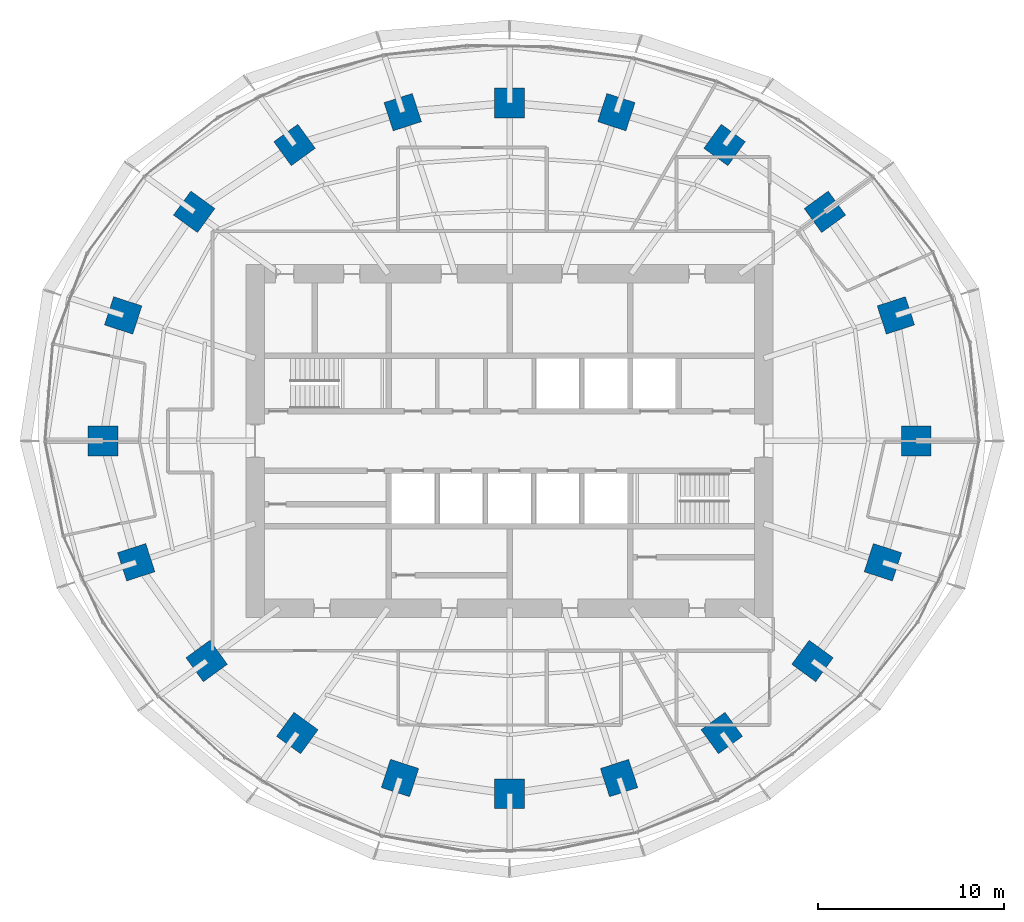
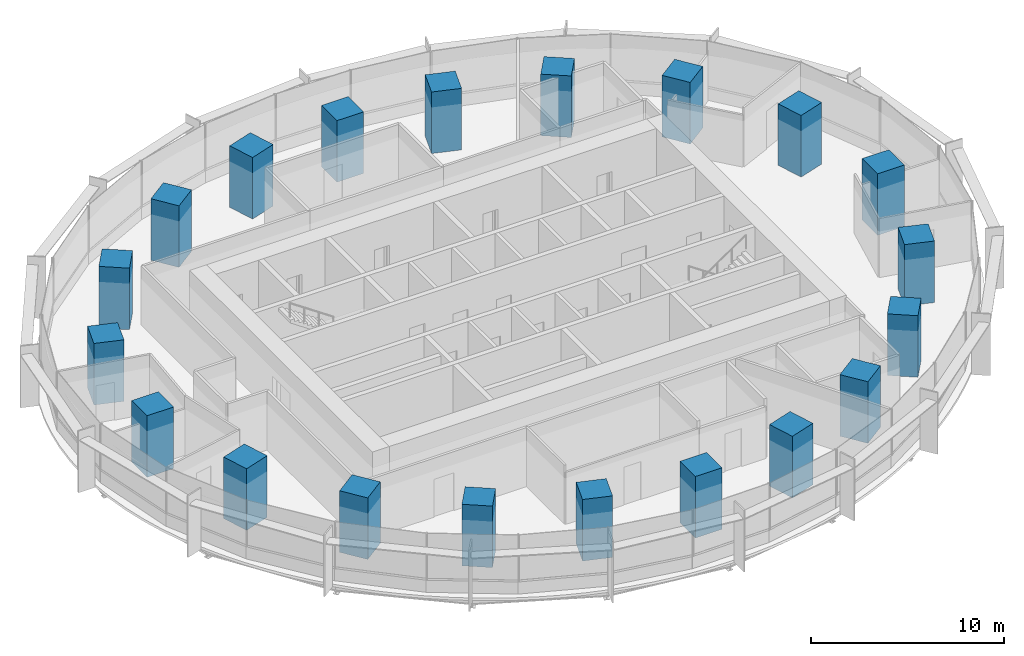
# One storey, part 1 of 14: 20 columns.
"""IFC4 building model written with IfcOpenShell, lengths in metres."""

import ifcopenshell
import ifcopenshell.guid

model = None  # the IFC model being written
_history = None  # IfcOwnerHistory: only IFC2X3 demands one
_inside = {}  # id of a spatial element -> (the spatial element, [elements in it])
_under = {}  # id of a project, library or spatial element -> (it, [spatial elements below it])
_declared = {}  # id of a project -> (the project, [libraries it declares])
_typed = {}  # id of a type object -> (the type object, [elements of that type])
_made_of = {}  # id of a material, layer set ... -> (it, [elements and type objects made of it])


def new_model(schema):
    """Start an empty IFC model of exactly this schema.

    Asked for "IFC4X3", IfcOpenShell would pick the latest addendum, in which some entities
    have other attributes; the version numbers below select the first issue.
    IFC2X3 requires an IfcOwnerHistory on every rooted entity: one is made here for all.
    """
    global model, _history
    if schema == "IFC4X3":
        model = ifcopenshell.file(schema_version=(4, 3, 0, 0))
    else:
        model = ifcopenshell.file(schema=schema)
    _inside.clear()
    _under.clear()
    _declared.clear()
    _typed.clear()
    _made_of.clear()
    _history = None
    if model.schema == "IFC2X3":
        org = make("IfcOrganization", Name="unknown")
        user = make(
            "IfcPersonAndOrganization",
            ThePerson=make("IfcPerson", FamilyName="unknown"),
            TheOrganization=org,
        )
        app = make(
            "IfcApplication",
            ApplicationDeveloper=org,
            Version="unknown",
            ApplicationFullName="unknown",
            ApplicationIdentifier="unknown",
        )
        _history = make(
            "IfcOwnerHistory",
            OwningUser=user,
            OwningApplication=app,
            ChangeAction="ADDED",
            CreationDate=0,
        )
    return model


def make(cls, **values):
    """One entity of the class cls with the attributes given. An attribute that is None is left unset."""
    return model.create_entity(
        cls, **{name: value for name, value in values.items() if value is not None}
    )


def rooted(cls, **values):
    """An entity with a GlobalId (a new one), such as an element, a storey or a relation."""
    return make(cls, GlobalId=ifcopenshell.guid.new(), OwnerHistory=_history, **values)


def si_unit(unit_type, name, prefix=None):
    """IfcSIUnit, for example si_unit("LENGTHUNIT", "METRE", prefix="MILLI")."""
    return make("IfcSIUnit", UnitType=unit_type, Prefix=prefix, Name=name)


def assignment(units):
    """IfcUnitAssignment: the units of a project."""
    return None if units is None else make("IfcUnitAssignment", Units=units)


def point(xyz):
    """IfcCartesianPoint."""
    return None if xyz is None else make("IfcCartesianPoint", Coordinates=xyz)


def direction(xyz):
    """IfcDirection."""
    return None if xyz is None else make("IfcDirection", DirectionRatios=xyz)


def frame(location, z_axis=None, x_axis=None):
    """IfcAxis2Placement3D, a coordinate frame: its origin and axes. An axis left out is left unset."""
    return make(
        "IfcAxis2Placement3D",
        Location=point(location),
        Axis=direction(z_axis),
        RefDirection=direction(x_axis),
    )


def frame_2d(location, x_axis=None):
    """IfcAxis2Placement2D, a coordinate frame in the plane: its origin and x axis."""
    return make(
        "IfcAxis2Placement2D", Location=point(location), RefDirection=direction(x_axis)
    )


def origin():
    """The frame at (0, 0, 0) with its axes left unset."""
    return frame((0.0, 0.0, 0.0))


def origin_2d():
    """The frame at (0, 0) in the plane with its x axis left unset."""
    return frame_2d((0.0, 0.0))


def place(relative_to, where):
    """IfcLocalPlacement: puts the frame where relative to a parent placement (None: the world)."""
    return make(
        "IfcLocalPlacement", PlacementRelTo=relative_to, RelativePlacement=where
    )


def context(
    kind, dimensions, precision=None, world=None, true_north=None, identifier=None
):
    """IfcGeometricRepresentationContext, for example the 3D "Model" context."""
    return make(
        "IfcGeometricRepresentationContext",
        ContextIdentifier=identifier,
        ContextType=kind,
        CoordinateSpaceDimension=dimensions,
        Precision=precision,
        WorldCoordinateSystem=world,
        TrueNorth=true_north,
    )


def subcontext(parent, identifier, kind, view, scale=None):
    """IfcGeometricRepresentationSubContext, for example "Body" below "Model"."""
    return make(
        "IfcGeometricRepresentationSubContext",
        ContextIdentifier=identifier,
        ContextType=kind,
        ParentContext=parent,
        TargetScale=scale,
        TargetView=view,
    )


def project(units=None, contexts=None):
    """IfcProject with its units and contexts."""
    return rooted(
        "IfcProject",
        Name="project",
        RepresentationContexts=contexts,
        UnitsInContext=assignment(units),
    )


def spatial(cls, under=None, at=None, **own):
    """A site, building, storey or space (cls), placed at a placement, below another one or the project."""
    s = rooted(cls, ObjectPlacement=at, **own)
    if under is not None:
        _under.setdefault(under.id(), (under, []))[1].append(s)
    return s


def profile(cls, at=None, kind="AREA", **sizes):
    """A parametric profile (cls). Its sizes go by their IFC names, for example OverallWidth=200.0."""
    return make(cls, ProfileType=kind, Position=at, **sizes)


def rectangle(**sizes):
    """IfcRectangleProfileDef."""
    return profile("IfcRectangleProfileDef", **sizes)


def extrude(swept, where, along, depth):
    """IfcExtrudedAreaSolid: the profile swept, set in the frame where, extruded along a direction by depth."""
    return make(
        "IfcExtrudedAreaSolid",
        SweptArea=swept,
        Position=where,
        ExtrudedDirection=direction(along),
        Depth=depth,
    )


def shape(context_of_items, identifier, shape_type, items):
    """IfcShapeRepresentation: the items that make up one representation, for example the "Body"."""
    return make(
        "IfcShapeRepresentation",
        ContextOfItems=context_of_items,
        RepresentationIdentifier=identifier,
        RepresentationType=shape_type,
        Items=items,
    )


def material(Name=None, Category=None):
    """IfcMaterial."""
    return make("IfcMaterial", Name=Name, Category=Category)


def material_profile(
    of_material, cross_section, Name=None, Category=None, Priority=None
):
    """IfcMaterialProfile: a cross section and its material."""
    return make(
        "IfcMaterialProfile",
        Name=Name,
        Material=of_material,
        Profile=cross_section,
        Priority=Priority,
        Category=Category,
    )


def profile_set(profiles, Name=None, composite=None):
    """IfcMaterialProfileSet."""
    return make(
        "IfcMaterialProfileSet",
        Name=Name,
        MaterialProfiles=profiles,
        CompositeProfile=composite,
    )


def made_of(thing, what):
    """Note that an element or type object is made of a material, layer set ...; save() writes the relation."""
    if what is not None:
        _made_of.setdefault(what.id(), (what, []))[1].append(thing)
    return thing


def type_object(cls, material=None, **own):
    """A type object (cls), such as IfcWallType, which elements share."""
    return made_of(rooted(cls, **own), material)


def element(
    cls,
    number,
    at=None,
    inside=None,
    cuts=None,
    type_object=None,
    material=None,
    context=None,
    identifier="Body",
    shape_type=None,
    held_by="IfcProductDefinitionShape",
    body=None,
    shapes=None,
    **own,
):
    """One element of the class cls, such as IfcWall. Its Tag is "e" and its number.

    at: its placement. inside: the storey or other place that contains it. cuts: it is an
    opening in that element (IfcRelVoidsElement). A single representation is given by context,
    identifier, shape_type and body (its items); several are given by shapes. held_by: the class
    of the entity that holds the representations. save() writes the other relations.
    """
    e = rooted(cls, Tag="e%d" % number, ObjectPlacement=at, **own)
    if body is not None:
        shapes = [shape(context, identifier, shape_type, body)]
    if shapes is not None:
        e.Representation = make(held_by, Representations=shapes)
    if inside is not None:
        _inside.setdefault(inside.id(), (inside, []))[1].append(e)
    if cuts is not None:
        rooted(
            "IfcRelVoidsElement", RelatingBuildingElement=cuts, RelatedOpeningElement=e
        )
    if type_object is not None:
        _typed.setdefault(type_object.id(), (type_object, []))[1].append(e)
    return made_of(e, material)


def aggregate(whole, parts):
    """IfcRelAggregates: a whole, such as a stair, and the parts it consists of."""
    return rooted("IfcRelAggregates", RelatingObject=whole, RelatedObjects=parts)


def save(model, path):
    """Write the relations noted so far, then the file.

    IfcRelAggregates (storeys below a building ...), IfcRelContainedInSpatialStructure (elements
    in a storey), IfcRelDefinesByType, IfcRelAssociatesMaterial and IfcRelDeclares: one each for
    every whole, place, type object, material and project.
    """
    for whole, parts in _under.values():
        aggregate(whole, parts)
    for where, things in _inside.values():
        rooted(
            "IfcRelContainedInSpatialStructure",
            RelatedElements=things,
            RelatingStructure=where,
        )
    for kind, things in _typed.values():
        rooted("IfcRelDefinesByType", RelatedObjects=things, RelatingType=kind)
    for what, things in _made_of.values():
        rooted("IfcRelAssociatesMaterial", RelatedObjects=things, RelatingMaterial=what)
    for by, libraries in _declared.values():
        rooted("IfcRelDeclares", RelatingContext=by, RelatedDefinitions=libraries)
    model.write(path)


model = new_model("IFC4")

# Units and contexts
model_context = context("Model", 3, precision=1e-05, world=origin(), true_north=direction((0.0, 1.0)))
body_context = subcontext(model_context, "Body", "Model", "MODEL_VIEW")
ifc_project = project(units=[si_unit("LENGTHUNIT", "METRE"), si_unit("AREAUNIT", "SQUARE_METRE"), si_unit("VOLUMEUNIT", "CUBIC_METRE"), si_unit("PLANEANGLEUNIT", "RADIAN"), si_unit("MASSUNIT", "GRAM", prefix="KILO")], contexts=[model_context])

# Site, building, storey
site_placement = place(None, origin())
site = spatial("IfcSite", under=ifc_project, at=site_placement, CompositionType="ELEMENT")
building_placement = place(site_placement, origin())
building = spatial("IfcBuilding", under=site, at=building_placement, Name="Marramba Exchange Tower", CompositionType="ELEMENT")
storey_placement = place(building_placement, frame((0.0, 0.0, 150.89990234375)))
storey = spatial("IfcBuildingStorey", under=building, at=storey_placement, Name="L36", CompositionType="ELEMENT", Elevation=150.89990234375)

# Columns
ifc_material = material(Name="Concrete N50", Category="concrete")
ifc_material_profile = material_profile(ifc_material, rectangle(XDim=1.60009765625, YDim=1.60009765625, at=origin_2d()), Name="RC 1600x1600")
ifc_profile_set = profile_set([ifc_material_profile], Name="Concrete N50")
column_type = type_object("IfcColumnType", Name="Perimeter column RC 1600x1600 N50", PredefinedType="COLUMN", material=ifc_profile_set)
for number, where, z_axis, x_axis, name in (
    (1, (21.89990234375, 0.0, 0.0), (0.0, 0.0, 1.0), (1.0, 0.0, 0.0), "Column TC01 L36"),
    (2, (20.808349609375, 6.760986328125, 0.0), (0.0, 0.0, 1.0), (0.951056516295, 0.309016994375, 0.0), "Column TC02 L36"),
    (3, (16.98583984375, 12.3408203125, 0.0), (0.0, 0.0, 1.0), (0.809016994375, 0.587785252292, 0.0), "Column TC03 L36"),
    (4, (11.581298828125, 15.9404296875, 0.0), (0.0, 0.0, 1.0), (0.587785252292, 0.809016994375, 0.0), "Column TC04 L36"),
    (5, (5.75390625, 17.70849609375, 0.0), (0.0, 0.0, 1.0), (0.309016994375, 0.951056516295, 0.0), "Column TC05 L36"),
    (6, (0.0, 18.2041015625, 0.0), (0.0, 0.0, 1.0), (0.0, 1.0, 0.0), "Column TC06 L36"),
    (7, (-5.75390625, 17.70849609375, 0.0), (0.0, 0.0, 1.0), (-0.309016994375, 0.951056516295, 0.0), "Column TC07 L36"),
    (8, (-11.581298828125, 15.9404296875, 0.0), (0.0, 0.0, 1.0), (-0.587785252292, 0.809016994375, 0.0), "Column TC08 L36"),
    (9, (-16.98583984375, 12.3408203125, 0.0), (0.0, 0.0, 1.0), (-0.809016994375, 0.587785252292, 0.0), "Column TC09 L36"),
    (10, (-20.808349609375, 6.760986328125, 0.0), (0.0, 0.0, 1.0), (-0.951056516295, 0.309016994375, 0.0), "Column TC10 L36"),
    (11, (-21.89990234375, 0.0, 0.0), (0.0, 0.0, 1.0), (-1.0, 0.0, 0.0), "Column TC11 L36"),
    (12, (-20.109375, -6.533935546875, 0.0), (0.0, 0.0, 1.0), (-0.951056516295, -0.309016994375, 0.0), "Column TC12 L36"),
    (13, (-16.3154296875, -11.853759765625, 0.0), (0.0, 0.0, 1.0), (-0.809016994375, -0.587785252292, 0.0), "Column TC13 L36"),
    (14, (-11.430419921875, -15.732666015625, 0.0), (0.0, 0.0, 1.0), (-0.587785252292, -0.809016994375, 0.0), "Column TC14 L36"),
    (15, (-5.899658203125, -18.156982421875, 0.0), (0.0, 0.0, 1.0), (-0.309016994375, -0.951056516295, 0.0), "Column TC15 L36"),
    (16, (0.0, -18.99609375, 0.0), (0.0, 0.0, 1.0), (0.0, -1.0, 0.0), "Column TC16 L36"),
    (17, (5.899658203125, -18.156982421875, 0.0), (0.0, 0.0, 1.0), (0.309016994375, -0.951056516295, 0.0), "Column TC17 L36"),
    (18, (11.430419921875, -15.732666015625, 0.0), (0.0, 0.0, 1.0), (0.587785252292, -0.809016994375, 0.0), "Column TC18 L36"),
    (19, (16.3154296875, -11.853759765625, 0.0), (0.0, 0.0, 1.0), (0.809016994375, -0.587785252292, 0.0), "Column TC19 L36"),
    (20, (20.109375, -6.533935546875, 0.0), (0.0, 0.0, 1.0), (0.951056516295, -0.309016994375, 0.0), "Column TC20 L36"),
):
    element("IfcColumn", number, at=place(storey_placement, frame(where, z_axis=z_axis, x_axis=x_axis)), inside=storey, type_object=column_type, Name=name, PredefinedType="COLUMN", context=body_context, shape_type="SweptSolid", body=[
        extrude(rectangle(XDim=1.60009765625, YDim=1.60009765625, at=origin_2d()), origin(), (0.0, 0.0, 1.0), 3.900146484375),
    ])

save(model, "model.ifc")
